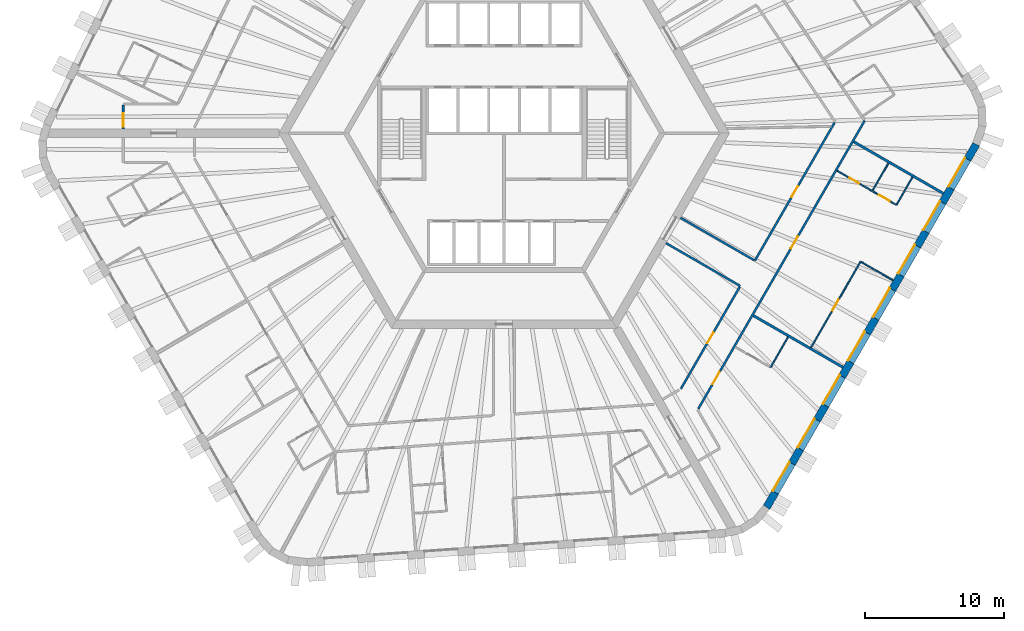
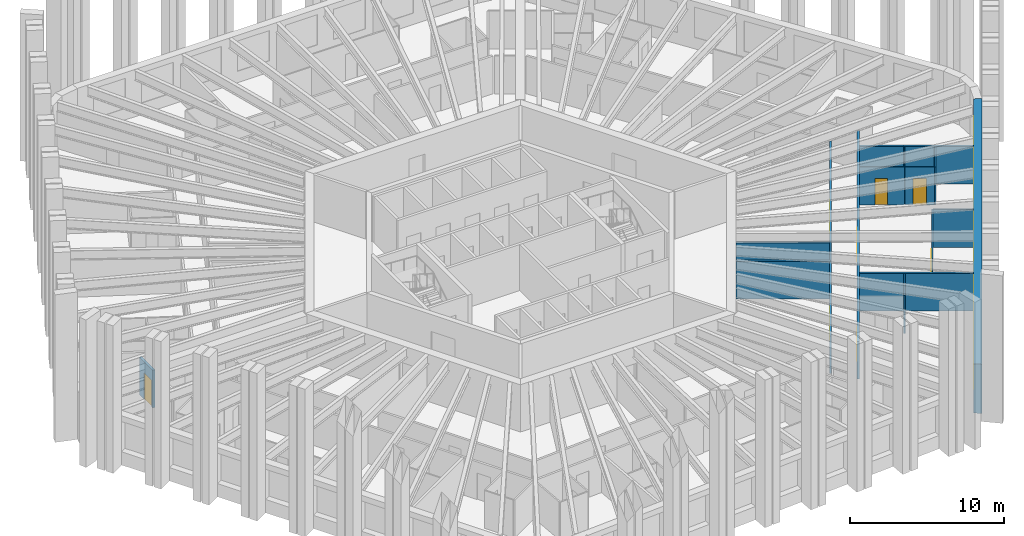
# One storey, part 6 of 13: 16 walls, 8 doors, 8 windows, 16 openings.
"""IFC4 building model written with IfcOpenShell, lengths in metres."""

from ifc_helpers import new_model, si_unit, direction, frame, frame_2d, origin, place, context, subcontext, project, spatial, polyline, rectangle, outline, extrude, material, layer, layer_set, type_object, element, fill, save


model = new_model("IFC4")

# Units and contexts
model_context = context("Model", 3, precision=1e-05, world=origin(), true_north=direction((0.0, 1.0)))
body_context = subcontext(model_context, "Body", "Model", "MODEL_VIEW")
ifc_project = project(units=[si_unit("LENGTHUNIT", "METRE"), si_unit("AREAUNIT", "SQUARE_METRE"), si_unit("VOLUMEUNIT", "CUBIC_METRE"), si_unit("PLANEANGLEUNIT", "RADIAN"), si_unit("MASSUNIT", "GRAM", prefix="KILO")], contexts=[model_context])

# Site, building, storey
site_placement = place(None, origin())
site = spatial("IfcSite", under=ifc_project, at=site_placement, CompositionType="ELEMENT")
building_placement = place(site_placement, origin())
building = spatial("IfcBuilding", under=site, at=building_placement, Name="Tarnside Tower", CompositionType="ELEMENT")
storey_placement = place(building_placement, frame((0.0, 0.0, 123.300048828125)))
storey = spatial("IfcBuildingStorey", under=building, at=storey_placement, Name="L28", CompositionType="ELEMENT", Elevation=123.300048828125)

# Wall
ifc_material_1 = material(Name="Gypsum board partition on steel studs", Category="steel")
ifc_layer_1 = layer(ifc_material_1, 0.10009765625)
ifc_layer_set_1 = layer_set([ifc_layer_1], Name="Bathroom wall 100")
wall_type_1 = type_object("IfcWallType", Name="Bathroom wall 100", PredefinedType="PARTITIONING", material=ifc_layer_set_1)
wall_1_placement = place(storey_placement, frame((20.367919921875, -14.621826171875, 0.0), z_axis=(0.0, 0.0, 1.0), x_axis=(-0.50001992892, -0.866013897511, 0.0)))
element("IfcWall", 1, at=wall_1_placement, inside=storey, type_object=wall_type_1, Name="Bathroom wall 09143", PredefinedType="PARTITIONING", context=body_context, shape_type="SweptSolid", body=[
    extrude(rectangle(XDim=2.51025390625, YDim=0.10009765625, at=frame_2d((1.255126953125, 0.0))), origin(), (0.0, 0.0, 1.0), 2.98779296875),
])

# Wall, opening, door
wall_2_placement = place(storey_placement, frame((26.412841796875, -4.151611328125, 0.0), z_axis=(0.0, 0.0, 1.0), x_axis=(-0.86601045545, 0.500025890382, 0.0)))
wall_2 = element("IfcWall", 2, at=wall_2_placement, inside=storey, type_object=wall_type_1, Name="Bathroom wall 09148", PredefinedType="PARTITIONING", context=body_context, shape_type="SweptSolid", body=[
    extrude(rectangle(XDim=2.925048828125, YDim=0.10009765625, at=frame_2d((1.46240234375, 0.0))), origin(), (0.0, 0.0, 1.0), 2.98779296875),
])
opening_1_placement = place(wall_2_placement, frame((1.10009765625, 0.0, 0.0)))
opening_1 = element("IfcOpeningElement", 3, at=opening_1_placement, cuts=wall_2, Name="Opening D-B1", PredefinedType="OPENING", context=body_context, shape_type="SweptSolid", body=[
    extrude(rectangle(XDim=0.800048828125, YDim=2.10009765625, at=frame_2d((0.39990234375, 1.050048828125))), frame((0.0, 0.06005859375, 0.0), z_axis=(0.0, -1.0, 0.0), x_axis=(1.0, 0.0, 0.0)), (0.0, 0.0, 1.0), 0.1201171875),
])
ifc_material_2 = material(Name="Timber door leaf", Category="wood")
door_type_1 = type_object("IfcDoorType", Name="Bathroom door 800", OperationType="NOTDEFINED", PredefinedType="DOOR", material=ifc_material_2)
door_1_placement = place(opening_1_placement, origin())
door_1 = element("IfcDoor", 4, at=door_1_placement, inside=storey, type_object=door_type_1, Name="Bathroom door 09034", OperationType="SINGLE_SWING_LEFT", OverallHeight=2.10009765625, OverallWidth=0.800048828125, PredefinedType="DOOR", context=body_context, shape_type="SweptSolid", body=[
    extrude(rectangle(XDim=0.800048828125, YDim=2.10009765625, at=frame_2d((0.39990234375, 1.050048828125))), frame((0.0, 0.02490234375, 0.0), z_axis=(0.0, -1.0, 0.0), x_axis=(1.0, 0.0, 0.0)), (0.0, 0.0, 1.0), 0.050048828125),
])
fill(opening_1, door_1)

# Wall
wall_3_placement = place(storey_placement, frame((26.43798828125, -4.1083984375, 0.0), z_axis=(0.0, 0.0, 1.0), x_axis=(0.49995000081, 0.866054268906, 0.0)))
element("IfcWall", 5, at=wall_3_placement, inside=storey, type_object=wall_type_1, Name="Bathroom wall 09154", PredefinedType="PARTITIONING", context=body_context, shape_type="SweptSolid", body=[
    extrude(rectangle(XDim=2.260009765625, YDim=0.10009765625, at=frame_2d((1.1298828125, 0.0))), origin(), (0.0, 0.0, 1.0), 2.98779296875),
])

# Wall, opening, door
ifc_layer_2 = layer(ifc_material_1, 0.14990234375)
ifc_layer_set_2 = layer_set([ifc_layer_2], Name="Corridor wall 150 EI 60")
wall_type_2 = type_object("IfcWallType", Name="Corridor wall 150 EI 60", PredefinedType="PARTITIONING", material=ifc_layer_set_2)
wall_4_placement = place(storey_placement, frame((-27.3203125, 2.02490234375, 0.0), z_axis=(0.0, 0.0, 1.0), x_axis=(0.0, -1.0, 0.0)))
wall_4 = element("IfcWall", 6, at=wall_4_placement, inside=storey, type_object=wall_type_2, Name="Corridor wall 09016", PredefinedType="PARTITIONING", context=body_context, shape_type="SweptSolid", body=[
    extrude(rectangle(XDim=1.724853515625, YDim=0.14990234375, at=frame_2d((0.8623046875, 0.0))), origin(), (0.0, 0.0, 1.0), 2.98779296875),
])
opening_2_placement = place(wall_4_placement, frame((0.574951171875, 0.0, 0.0)))
opening_2 = element("IfcOpeningElement", 7, at=opening_2_placement, cuts=wall_4, Name="Opening D-E1", PredefinedType="OPENING", context=body_context, shape_type="SweptSolid", body=[
    extrude(rectangle(XDim=1.0, YDim=2.10009765625, at=frame_2d((0.5, 1.050048828125))), frame((0.0, 0.0849609375, 0.0), z_axis=(0.0, -1.0, 0.0), x_axis=(1.0, 0.0, 0.0)), (0.0, 0.0, 1.0), 0.169921875),
])
door_type_2 = type_object("IfcDoorType", Name="Unit entrance door 1000 FD30S", OperationType="NOTDEFINED", PredefinedType="DOOR", material=ifc_material_2)
door_2_placement = place(opening_2_placement, origin())
door_2 = element("IfcDoor", 8, at=door_2_placement, inside=storey, type_object=door_type_2, Name="Unit door 09014", OperationType="SINGLE_SWING_LEFT", OverallHeight=2.10009765625, OverallWidth=1.0, PredefinedType="DOOR", context=body_context, shape_type="SweptSolid", body=[
    extrude(rectangle(XDim=1.0, YDim=2.10009765625, at=frame_2d((0.5, 1.050048828125))), frame((0.0, 0.02490234375, 0.0), z_axis=(0.0, -1.0, 0.0), x_axis=(1.0, 0.0, 0.0)), (0.0, 0.0, 1.0), 0.050048828125),
])
fill(opening_2, door_2)

# Wall, openings, doors
wall_5_placement = place(storey_placement, frame((13.928466796875, -19.77490234375, 0.0), z_axis=(0.0, 0.0, 1.0), x_axis=(0.50000450071, 0.866022805283, 0.0)))
wall_5 = element("IfcWall", 9, at=wall_5_placement, inside=storey, type_object=wall_type_2, Name="Corridor wall 09056", PredefinedType="PARTITIONING", context=body_context, shape_type="SweptSolid", body=[
    extrude(rectangle(XDim=23.877197265625, YDim=0.14990234375, at=frame_2d((11.9384765625, 0.0))), origin(), (0.0, 0.0, 1.0), 2.98779296875),
])
opening_3_placement = place(wall_5_placement, frame((2.04296875, 0.0, 0.0)))
opening_3 = element("IfcOpeningElement", 10, at=opening_3_placement, cuts=wall_5, Name="Opening D-E1", PredefinedType="OPENING", context=body_context, shape_type="SweptSolid", body=[
    extrude(rectangle(XDim=1.0, YDim=2.10009765625, at=frame_2d((0.5, 1.050048828125))), frame((0.0, 0.0849609375, 0.0), z_axis=(0.0, -1.0, 0.0), x_axis=(1.0, 0.0, 0.0)), (0.0, 0.0, 1.0), 0.169921875),
])
opening_4_placement = place(wall_5_placement, frame((13.2724609375, 0.0, 0.0)))
opening_4 = element("IfcOpeningElement", 11, at=opening_4_placement, cuts=wall_5, Name="Opening D-E1", PredefinedType="OPENING", context=body_context, shape_type="SweptSolid", body=[
    extrude(rectangle(XDim=1.0, YDim=2.10009765625, at=frame_2d((0.5, 1.050048828125))), frame((0.0, 0.0849609375, 0.0), z_axis=(0.0, -1.0, 0.0), x_axis=(1.0, 0.0, 0.0)), (0.0, 0.0, 1.0), 0.169921875),
])
door_3_placement = place(opening_3_placement, origin())
door_3 = element("IfcDoor", 12, at=door_3_placement, inside=storey, type_object=door_type_2, Name="Unit door 09031", OperationType="SINGLE_SWING_RIGHT", OverallHeight=2.10009765625, OverallWidth=1.0, PredefinedType="DOOR", context=body_context, shape_type="SweptSolid", body=[
    extrude(rectangle(XDim=1.0, YDim=2.10009765625, at=frame_2d((0.5, 1.050048828125))), frame((0.0, 0.02490234375, 0.0), z_axis=(0.0, -1.0, 0.0), x_axis=(1.0, 0.0, 0.0)), (0.0, 0.0, 1.0), 0.050048828125),
])
fill(opening_3, door_3)
door_4_placement = place(opening_4_placement, origin())
door_4 = element("IfcDoor", 13, at=door_4_placement, inside=storey, type_object=door_type_2, Name="Unit door 09033", OperationType="SINGLE_SWING_RIGHT", OverallHeight=2.10009765625, OverallWidth=1.0, PredefinedType="DOOR", context=body_context, shape_type="SweptSolid", body=[
    extrude(rectangle(XDim=1.0, YDim=2.10009765625, at=frame_2d((0.5, 1.050048828125))), frame((0.0, 0.02490234375, 0.0), z_axis=(0.0, -1.0, 0.0), x_axis=(1.0, 0.0, 0.0)), (0.0, 0.0, 1.0), 0.050048828125),
])
fill(opening_4, door_4)

# Wall, opening, door
wall_6_placement = place(storey_placement, frame((23.704345703125, 0.757080078125, 0.0), z_axis=(0.0, 0.0, 1.0), x_axis=(-0.500010297365, -0.866019458516, 0.0)))
wall_6 = element("IfcWall", 14, at=wall_6_placement, inside=storey, type_object=wall_type_2, Name="Corridor wall 09071", PredefinedType="PARTITIONING", context=body_context, shape_type="SweptSolid", body=[
    extrude(rectangle(XDim=11.428955078125, YDim=0.14990234375, at=frame_2d((5.71435546875, 0.0))), origin(), (0.0, 0.0, 1.0), 2.98779296875),
])
opening_5_placement = place(wall_6_placement, frame((5.264404296875, 0.0, 0.0)))
opening_5 = element("IfcOpeningElement", 15, at=opening_5_placement, cuts=wall_6, Name="Opening D-S1", PredefinedType="OPENING", context=body_context, shape_type="SweptSolid", body=[
    extrude(rectangle(XDim=0.89990234375, YDim=2.10009765625, at=frame_2d((0.449951171875, 1.050048828125))), frame((0.0, 0.0849609375, 0.0), z_axis=(0.0, -1.0, 0.0), x_axis=(1.0, 0.0, 0.0)), (0.0, 0.0, 1.0), 0.169921875),
])
door_type_3 = type_object("IfcDoorType", Name="Service room door 900 FD30S", OperationType="NOTDEFINED", PredefinedType="DOOR", material=ifc_material_2)
door_5_placement = place(opening_5_placement, origin())
door_5 = element("IfcDoor", 16, at=door_5_placement, inside=storey, type_object=door_type_3, Name="Service door 09053", OperationType="SINGLE_SWING_RIGHT", OverallHeight=2.10009765625, OverallWidth=0.89990234375, PredefinedType="DOOR", context=body_context, shape_type="SweptSolid", body=[
    extrude(rectangle(XDim=0.89990234375, YDim=2.10009765625, at=frame_2d((0.449951171875, 1.050048828125))), frame((0.0, 0.02490234375, 0.0), z_axis=(0.0, -1.0, 0.0), x_axis=(1.0, 0.0, 0.0)), (0.0, 0.0, 1.0), 0.050048828125),
])
fill(opening_5, door_5)

# Walls
wall_7_placement = place(storey_placement, frame((17.9248046875, -9.103271484375, 0.0), z_axis=(0.0, 0.0, 1.0), x_axis=(-0.866013586754, 0.500020467139, 0.0)))
element("IfcWall", 17, at=wall_7_placement, inside=storey, type_object=wall_type_2, Name="Corridor wall 09072", PredefinedType="PARTITIONING", context=body_context, shape_type="SweptSolid", body=[
    extrude(rectangle(XDim=6.074951171875, YDim=0.14990234375, at=frame_2d((3.03759765625, 0.0))), origin(), (0.0, 0.0, 1.0), 2.98779296875),
])
wall_8_placement = place(storey_placement, frame((11.61376953125, -7.88427734375, 0.0), z_axis=(0.0, 0.0, 1.0), x_axis=(0.866033542371, -0.499985903289, 0.0)))
element("IfcWall", 18, at=wall_8_placement, inside=storey, type_object=wall_type_2, Name="Corridor wall 09076", PredefinedType="PARTITIONING", context=body_context, shape_type="SweptSolid", body=[
    extrude(rectangle(XDim=6.150146484375, YDim=0.14990234375, at=frame_2d((3.0751953125, 0.0))), origin(), (0.0, 0.0, 1.0), 2.98779296875),
])

# Wall, opening, door
wall_9_placement = place(storey_placement, frame((16.90234375, -11.024169921875, 0.0), z_axis=(0.0, 0.0, 1.0), x_axis=(-0.499999527968, -0.866025676312, 0.0)))
wall_9 = element("IfcWall", 19, at=wall_9_placement, inside=storey, type_object=wall_type_2, Name="Corridor wall 09077", PredefinedType="PARTITIONING", context=body_context, shape_type="SweptSolid", body=[
    extrude(rectangle(XDim=8.44091796875, YDim=0.14990234375, at=frame_2d((4.220458984375, 0.0))), origin(), (0.0, 0.0, 1.0), 2.98779296875),
])
opening_6_placement = place(wall_9_placement, frame((3.7705078125, 0.0, 0.0)))
opening_6 = element("IfcOpeningElement", 20, at=opening_6_placement, cuts=wall_9, Name="Opening D-S1", PredefinedType="OPENING", context=body_context, shape_type="SweptSolid", body=[
    extrude(rectangle(XDim=0.89990234375, YDim=2.10009765625, at=frame_2d((0.449951171875, 1.050048828125))), frame((0.0, 0.0849609375, 0.0), z_axis=(0.0, -1.0, 0.0), x_axis=(1.0, 0.0, 0.0)), (0.0, 0.0, 1.0), 0.169921875),
])
door_6_placement = place(opening_6_placement, origin())
door_6 = element("IfcDoor", 21, at=door_6_placement, inside=storey, type_object=door_type_3, Name="Service door 09055", OperationType="SINGLE_SWING_RIGHT", OverallHeight=2.10009765625, OverallWidth=0.89990234375, PredefinedType="DOOR", context=body_context, shape_type="SweptSolid", body=[
    extrude(rectangle(XDim=0.89990234375, YDim=2.10009765625, at=frame_2d((0.449951171875, 1.050048828125))), frame((0.0, 0.02490234375, 0.0), z_axis=(0.0, -1.0, 0.0), x_axis=(1.0, 0.0, 0.0)), (0.0, 0.0, 1.0), 0.050048828125),
])
fill(opening_6, door_6)

# Walls
ifc_layer_3 = layer(ifc_material_1, 0.179931640625)
ifc_layer_set_3 = layer_set([ifc_layer_3], Name="Demising wall 180 EI 60")
wall_type_3 = type_object("IfcWallType", Name="Demising wall 180 EI 60", PredefinedType="PARTITIONING", material=ifc_layer_set_3)
wall_10_placement = place(storey_placement, frame((24.31005859375, -16.7939453125, 0.0), z_axis=(0.0, 0.0, 1.0), x_axis=(-0.866022965479, 0.500004223245, 0.0)))
element("IfcWall", 22, at=wall_10_placement, inside=storey, type_object=wall_type_3, Name="Demising wall 09145", PredefinedType="PARTITIONING", context=body_context, shape_type="SweptSolid", body=[
    extrude(rectangle(XDim=7.42529296875, YDim=0.179931640625, at=frame_2d((3.712646484375, 0.0))), origin(), (0.0, 0.0, 1.0), 2.98779296875),
])
wall_11_placement = place(storey_placement, frame((31.510009765625, -4.322998046875, 0.0), z_axis=(0.0, 0.0, 1.0), x_axis=(-0.866028983062, 0.499993800457, 0.0)))
element("IfcWall", 23, at=wall_11_placement, inside=storey, type_object=wall_type_3, Name="Demising wall 09153", PredefinedType="PARTITIONING", context=body_context, shape_type="SweptSolid", body=[
    extrude(rectangle(XDim=7.4248046875, YDim=0.179931640625, at=frame_2d((3.71240234375, 0.0))), origin(), (0.0, 0.0, 1.0), 2.98779296875),
])
ifc_layer_4 = layer(ifc_material_1, 0.10009765625)
ifc_layer_set_4 = layer_set([ifc_layer_4], Name="Partition 100")
wall_type_4 = type_object("IfcWallType", Name="Partition 100", PredefinedType="PARTITIONING", material=ifc_layer_set_4)
wall_12_placement = place(storey_placement, frame((29.2998046875, -3.151123046875, 0.0), z_axis=(0.0, 0.0, 1.0), x_axis=(-0.499935939261, -0.866062386111, 0.0)))
element("IfcWall", 24, at=wall_12_placement, inside=storey, type_object=wall_type_4, Name="Partition wall 09149", PredefinedType="PARTITIONING", context=body_context, shape_type="SweptSolid", body=[
    extrude(rectangle(XDim=2.309814453125, YDim=0.10009765625, at=frame_2d((1.15478515625, 0.0))), origin(), (0.0, 0.0, 1.0), 2.98779296875),
])

# Wall, opening, door
wall_13_placement = place(storey_placement, frame((28.1015625, -5.12646484375, 0.0), z_axis=(0.0, 0.0, 1.0), x_axis=(-0.866044365799, 0.499967155389, 0.0)))
wall_13 = element("IfcWall", 25, at=wall_13_placement, inside=storey, type_object=wall_type_4, Name="Partition wall 09150", PredefinedType="PARTITIONING", context=body_context, shape_type="SweptSolid", body=[
    extrude(rectangle(XDim=1.900146484375, YDim=0.10009765625, at=frame_2d((0.9501953125, 0.0))), origin(), (0.0, 0.0, 1.0), 2.98779296875),
])
opening_7_placement = place(wall_13_placement, frame((0.5, 0.0, 0.0)))
opening_7 = element("IfcOpeningElement", 26, at=opening_7_placement, cuts=wall_13, Name="Opening D-I1", PredefinedType="OPENING", context=body_context, shape_type="SweptSolid", body=[
    extrude(rectangle(XDim=0.89990234375, YDim=2.10009765625, at=frame_2d((0.449951171875, 1.050048828125))), frame((0.0, 0.06005859375, 0.0), z_axis=(0.0, -1.0, 0.0), x_axis=(1.0, 0.0, 0.0)), (0.0, 0.0, 1.0), 0.1201171875),
])
door_type_4 = type_object("IfcDoorType", Name="Internal door 900", OperationType="NOTDEFINED", PredefinedType="DOOR", material=ifc_material_2)
door_7_placement = place(opening_7_placement, origin())
door_7 = element("IfcDoor", 27, at=door_7_placement, inside=storey, type_object=door_type_4, Name="Internal door 09035", OperationType="SINGLE_SWING_RIGHT", OverallHeight=2.10009765625, OverallWidth=0.89990234375, PredefinedType="DOOR", context=body_context, shape_type="SweptSolid", body=[
    extrude(rectangle(XDim=0.89990234375, YDim=2.10009765625, at=frame_2d((0.449951171875, 1.050048828125))), frame((0.0, 0.02490234375, 0.0), z_axis=(0.0, -1.0, 0.0), x_axis=(1.0, 0.0, 0.0)), (0.0, 0.0, 1.0), 0.050048828125),
])
fill(opening_7, door_7)

wall_14_placement = place(storey_placement, frame((22.0166015625, -15.365966796875, 0.0), z_axis=(0.0, 0.0, 1.0), x_axis=(0.5000167099, 0.866015756104, 0.0)))
wall_14 = element("IfcWall", 28, at=wall_14_placement, inside=storey, type_object=wall_type_4, Name="Partition wall 09151", PredefinedType="PARTITIONING", context=body_context, shape_type="SweptSolid", body=[
    extrude(rectangle(XDim=7.110107421875, YDim=0.10009765625, at=frame_2d((3.55517578125, 0.0))), origin(), (0.0, 0.0, 1.0), 2.98779296875),
])
opening_8_placement = place(wall_14_placement, frame((3.06005859375, 0.0, 0.0)))
opening_8 = element("IfcOpeningElement", 29, at=opening_8_placement, cuts=wall_14, Name="Opening D-I1", PredefinedType="OPENING", context=body_context, shape_type="SweptSolid", body=[
    extrude(rectangle(XDim=0.89990234375, YDim=2.10009765625, at=frame_2d((0.449951171875, 1.050048828125))), frame((0.0, 0.06005859375, 0.0), z_axis=(0.0, -1.0, 0.0), x_axis=(1.0, 0.0, 0.0)), (0.0, 0.0, 1.0), 0.1201171875),
])
door_8_placement = place(opening_8_placement, origin())
door_8 = element("IfcDoor", 30, at=door_8_placement, inside=storey, type_object=door_type_4, Name="Internal door 09036", OperationType="SINGLE_SWING_RIGHT", OverallHeight=2.10009765625, OverallWidth=0.89990234375, PredefinedType="DOOR", context=body_context, shape_type="SweptSolid", body=[
    extrude(rectangle(XDim=0.89990234375, YDim=2.10009765625, at=frame_2d((0.449951171875, 1.050048828125))), frame((0.0, 0.02490234375, 0.0), z_axis=(0.0, -1.0, 0.0), x_axis=(1.0, 0.0, 0.0)), (0.0, 0.0, 1.0), 0.050048828125),
])
fill(opening_8, door_8)

# Wall
wall_15_placement = place(storey_placement, frame((25.614990234375, -9.2333984375, 0.0), z_axis=(0.0, 0.0, 1.0), x_axis=(0.865989200783, -0.500062700197, 0.0)))
element("IfcWall", 31, at=wall_15_placement, inside=storey, type_object=wall_type_4, Name="Partition wall 09152", PredefinedType="PARTITIONING", context=body_context, shape_type="SweptSolid", body=[
    extrude(rectangle(XDim=2.650146484375, YDim=0.10009765625, at=frame_2d((1.3251953125, 0.0))), origin(), (0.0, 0.0, 1.0), 2.98779296875),
])

# Wall, openings, windows
ifc_material_3 = material(Name="Facing brick", Category="masonry")
ifc_layer_5 = layer(ifc_material_3, 0.10205078125)
ifc_material_4 = material(Name="Concrete C60/75 precast", Category="concrete")
ifc_layer_6 = layer(ifc_material_4, 0.347900390625)
ifc_material_5 = material(Name="Mineral wool insulation")
ifc_layer_7 = layer(ifc_material_5, 0.10009765625)
ifc_layer_set_5 = layer_set([ifc_layer_5, ifc_layer_6, ifc_layer_7], Name="Tube wall 550 brick faced")
wall_type_5 = type_object("IfcWallType", Name="Tube wall 550 brick faced", PredefinedType="SOLIDWALL", material=ifc_layer_set_5)
wall_16_placement = place(storey_placement, frame((18.830322265625, -26.834716796875, -0.150146484375), z_axis=(0.0, 0.0, 1.0), x_axis=(0.500003800416, 0.866023209602, 0.0)))
wall_16 = element("IfcWall", 32, at=wall_16_placement, inside=storey, type_object=wall_type_5, Name="Tube wall L28 F5 flush 16", PredefinedType="SOLIDWALL", context=body_context, shape_type="SweptSolid", body=[
    extrude(outline(polyline([(-0.0224609375, -0.27490234375), (30.0966796875, -0.27490234375), (30.04541015625, 0.27490234375), (0.0224609375, 0.27490234375), (-0.0224609375, -0.27490234375)])), origin(), (0.0, 0.0, 1.0), 3.900146484375),
])
opening_9_placement = place(wall_16_placement, frame((1.235595703125, 0.0, 1.050048828125)))
opening_9 = element("IfcOpeningElement", 33, at=opening_9_placement, cuts=wall_16, Name="Opening WH", PredefinedType="OPENING", context=body_context, shape_type="SweptSolid", body=[
    extrude(rectangle(XDim=2.39990234375, YDim=2.39990234375, at=frame_2d((1.199951171875, 1.199951171875))), frame((0.0, 0.28515625, 0.0), z_axis=(0.0, -1.0, 0.0), x_axis=(1.0, 0.0, 0.0)), (0.0, 0.0, 1.0), 0.570068359375),
])
opening_10_placement = place(wall_16_placement, frame((4.83544921875, 0.0, 1.050048828125)))
opening_10 = element("IfcOpeningElement", 34, at=opening_10_placement, cuts=wall_16, Name="Opening WH", PredefinedType="OPENING", context=body_context, shape_type="SweptSolid", body=[
    extrude(rectangle(XDim=2.39990234375, YDim=2.39990234375, at=frame_2d((1.199951171875, 1.199951171875))), frame((0.0, 0.28515625, 0.0), z_axis=(0.0, -1.0, 0.0), x_axis=(1.0, 0.0, 0.0)), (0.0, 0.0, 1.0), 0.570068359375),
])
opening_11_placement = place(wall_16_placement, frame((8.435546875, 0.0, 1.050048828125)))
opening_11 = element("IfcOpeningElement", 35, at=opening_11_placement, cuts=wall_16, Name="Opening WH", PredefinedType="OPENING", context=body_context, shape_type="SweptSolid", body=[
    extrude(rectangle(XDim=2.39990234375, YDim=2.39990234375, at=frame_2d((1.199951171875, 1.199951171875))), frame((0.0, 0.28515625, 0.0), z_axis=(0.0, -1.0, 0.0), x_axis=(1.0, 0.0, 0.0)), (0.0, 0.0, 1.0), 0.570068359375),
])
opening_12_placement = place(wall_16_placement, frame((12.035400390625, 0.0, 1.050048828125)))
opening_12 = element("IfcOpeningElement", 36, at=opening_12_placement, cuts=wall_16, Name="Opening WH", PredefinedType="OPENING", context=body_context, shape_type="SweptSolid", body=[
    extrude(rectangle(XDim=2.39990234375, YDim=2.39990234375, at=frame_2d((1.199951171875, 1.199951171875))), frame((0.0, 0.28515625, 0.0), z_axis=(0.0, -1.0, 0.0), x_axis=(1.0, 0.0, 0.0)), (0.0, 0.0, 1.0), 0.570068359375),
])
opening_13_placement = place(wall_16_placement, frame((15.635498046875, 0.0, 1.050048828125)))
opening_13 = element("IfcOpeningElement", 37, at=opening_13_placement, cuts=wall_16, Name="Opening WH", PredefinedType="OPENING", context=body_context, shape_type="SweptSolid", body=[
    extrude(rectangle(XDim=2.39990234375, YDim=2.39990234375, at=frame_2d((1.199951171875, 1.199951171875))), frame((0.0, 0.28515625, 0.0), z_axis=(0.0, -1.0, 0.0), x_axis=(1.0, 0.0, 0.0)), (0.0, 0.0, 1.0), 0.570068359375),
])
opening_14_placement = place(wall_16_placement, frame((19.235595703125, 0.0, 1.050048828125)))
opening_14 = element("IfcOpeningElement", 38, at=opening_14_placement, cuts=wall_16, Name="Opening WH", PredefinedType="OPENING", context=body_context, shape_type="SweptSolid", body=[
    extrude(rectangle(XDim=2.39990234375, YDim=2.39990234375, at=frame_2d((1.199951171875, 1.199951171875))), frame((0.0, 0.28515625, 0.0), z_axis=(0.0, -1.0, 0.0), x_axis=(1.0, 0.0, 0.0)), (0.0, 0.0, 1.0), 0.570068359375),
])
opening_15_placement = place(wall_16_placement, frame((22.83544921875, 0.0, 1.050048828125)))
opening_15 = element("IfcOpeningElement", 39, at=opening_15_placement, cuts=wall_16, Name="Opening WH", PredefinedType="OPENING", context=body_context, shape_type="SweptSolid", body=[
    extrude(rectangle(XDim=2.39990234375, YDim=2.39990234375, at=frame_2d((1.199951171875, 1.199951171875))), frame((0.0, 0.28515625, 0.0), z_axis=(0.0, -1.0, 0.0), x_axis=(1.0, 0.0, 0.0)), (0.0, 0.0, 1.0), 0.570068359375),
])
opening_16_placement = place(wall_16_placement, frame((26.435546875, 0.0, 1.050048828125)))
opening_16 = element("IfcOpeningElement", 40, at=opening_16_placement, cuts=wall_16, Name="Opening WH", PredefinedType="OPENING", context=body_context, shape_type="SweptSolid", body=[
    extrude(rectangle(XDim=2.39990234375, YDim=2.39990234375, at=frame_2d((1.199951171875, 1.199951171875))), frame((0.0, 0.28515625, 0.0), z_axis=(0.0, -1.0, 0.0), x_axis=(1.0, 0.0, 0.0)), (0.0, 0.0, 1.0), 0.570068359375),
])
ifc_material_6 = material(Name="Aluminium-framed double glazing", Category="aluminium")
window_type = type_object("IfcWindowType", Name="Hotel window 2400 x 2400", PartitioningType="DOUBLE_PANEL_VERTICAL", PredefinedType="WINDOW", material=ifc_material_6)
window_1_placement = place(opening_9_placement, frame((0.0, 0.205078125, 0.0)))
window_1 = element("IfcWindow", 41, at=window_1_placement, inside=storey, type_object=window_type, Name="E.WN.L28.F5.00", OverallHeight=2.39990234375, OverallWidth=2.39990234375, PartitioningType="DOUBLE_PANEL_VERTICAL", PredefinedType="WINDOW", context=body_context, shape_type="SweptSolid", body=[
    extrude(rectangle(XDim=2.39990234375, YDim=2.39990234375, at=frame_2d((1.199951171875, 1.199951171875))), frame((0.0, 0.030029296875, 0.0), z_axis=(0.0, -1.0, 0.0), x_axis=(1.0, 0.0, 0.0)), (0.0, 0.0, 1.0), 0.06005859375),
])
fill(opening_9, window_1)
window_2_placement = place(opening_10_placement, frame((0.0, 0.205078125, 0.0)))
window_2 = element("IfcWindow", 42, at=window_2_placement, inside=storey, type_object=window_type, Name="E.WN.L28.F5.01", OverallHeight=2.39990234375, OverallWidth=2.39990234375, PartitioningType="DOUBLE_PANEL_VERTICAL", PredefinedType="WINDOW", context=body_context, shape_type="SweptSolid", body=[
    extrude(rectangle(XDim=2.39990234375, YDim=2.39990234375, at=frame_2d((1.199951171875, 1.199951171875))), frame((0.0, 0.030029296875, 0.0), z_axis=(0.0, -1.0, 0.0), x_axis=(1.0, 0.0, 0.0)), (0.0, 0.0, 1.0), 0.06005859375),
])
fill(opening_10, window_2)
window_3_placement = place(opening_11_placement, frame((0.0, 0.205078125, 0.0)))
window_3 = element("IfcWindow", 43, at=window_3_placement, inside=storey, type_object=window_type, Name="E.WN.L28.F5.02", OverallHeight=2.39990234375, OverallWidth=2.39990234375, PartitioningType="DOUBLE_PANEL_VERTICAL", PredefinedType="WINDOW", context=body_context, shape_type="SweptSolid", body=[
    extrude(rectangle(XDim=2.39990234375, YDim=2.39990234375, at=frame_2d((1.199951171875, 1.199951171875))), frame((0.0, 0.030029296875, 0.0), z_axis=(0.0, -1.0, 0.0), x_axis=(1.0, 0.0, 0.0)), (0.0, 0.0, 1.0), 0.06005859375),
])
fill(opening_11, window_3)
window_4_placement = place(opening_12_placement, frame((0.0, 0.205078125, 0.0)))
window_4 = element("IfcWindow", 44, at=window_4_placement, inside=storey, type_object=window_type, Name="E.WN.L28.F5.03", OverallHeight=2.39990234375, OverallWidth=2.39990234375, PartitioningType="DOUBLE_PANEL_VERTICAL", PredefinedType="WINDOW", context=body_context, shape_type="SweptSolid", body=[
    extrude(rectangle(XDim=2.39990234375, YDim=2.39990234375, at=frame_2d((1.199951171875, 1.199951171875))), frame((0.0, 0.030029296875, 0.0), z_axis=(0.0, -1.0, 0.0), x_axis=(1.0, 0.0, 0.0)), (0.0, 0.0, 1.0), 0.06005859375),
])
fill(opening_12, window_4)
window_5_placement = place(opening_13_placement, frame((0.0, 0.205078125, 0.0)))
window_5 = element("IfcWindow", 45, at=window_5_placement, inside=storey, type_object=window_type, Name="E.WN.L28.F5.04", OverallHeight=2.39990234375, OverallWidth=2.39990234375, PartitioningType="DOUBLE_PANEL_VERTICAL", PredefinedType="WINDOW", context=body_context, shape_type="SweptSolid", body=[
    extrude(rectangle(XDim=2.39990234375, YDim=2.39990234375, at=frame_2d((1.199951171875, 1.199951171875))), frame((0.0, 0.030029296875, 0.0), z_axis=(0.0, -1.0, 0.0), x_axis=(1.0, 0.0, 0.0)), (0.0, 0.0, 1.0), 0.06005859375),
])
fill(opening_13, window_5)
window_6_placement = place(opening_14_placement, frame((0.0, 0.205078125, 0.0)))
window_6 = element("IfcWindow", 46, at=window_6_placement, inside=storey, type_object=window_type, Name="E.WN.L28.F5.05", OverallHeight=2.39990234375, OverallWidth=2.39990234375, PartitioningType="DOUBLE_PANEL_VERTICAL", PredefinedType="WINDOW", context=body_context, shape_type="SweptSolid", body=[
    extrude(rectangle(XDim=2.39990234375, YDim=2.39990234375, at=frame_2d((1.199951171875, 1.199951171875))), frame((0.0, 0.030029296875, 0.0), z_axis=(0.0, -1.0, 0.0), x_axis=(1.0, 0.0, 0.0)), (0.0, 0.0, 1.0), 0.06005859375),
])
fill(opening_14, window_6)
window_7_placement = place(opening_15_placement, frame((0.0, 0.205078125, 0.0)))
window_7 = element("IfcWindow", 47, at=window_7_placement, inside=storey, type_object=window_type, Name="E.WN.L28.F5.06", OverallHeight=2.39990234375, OverallWidth=2.39990234375, PartitioningType="DOUBLE_PANEL_VERTICAL", PredefinedType="WINDOW", context=body_context, shape_type="SweptSolid", body=[
    extrude(rectangle(XDim=2.39990234375, YDim=2.39990234375, at=frame_2d((1.199951171875, 1.199951171875))), frame((0.0, 0.030029296875, 0.0), z_axis=(0.0, -1.0, 0.0), x_axis=(1.0, 0.0, 0.0)), (0.0, 0.0, 1.0), 0.06005859375),
])
fill(opening_15, window_7)
window_8_placement = place(opening_16_placement, frame((0.0, 0.205078125, 0.0)))
window_8 = element("IfcWindow", 48, at=window_8_placement, inside=storey, type_object=window_type, Name="E.WN.L28.F5.07", OverallHeight=2.39990234375, OverallWidth=2.39990234375, PartitioningType="DOUBLE_PANEL_VERTICAL", PredefinedType="WINDOW", context=body_context, shape_type="SweptSolid", body=[
    extrude(rectangle(XDim=2.39990234375, YDim=2.39990234375, at=frame_2d((1.199951171875, 1.199951171875))), frame((0.0, 0.030029296875, 0.0), z_axis=(0.0, -1.0, 0.0), x_axis=(1.0, 0.0, 0.0)), (0.0, 0.0, 1.0), 0.06005859375),
])
fill(opening_16, window_8)

save(model, "model.ifc")
